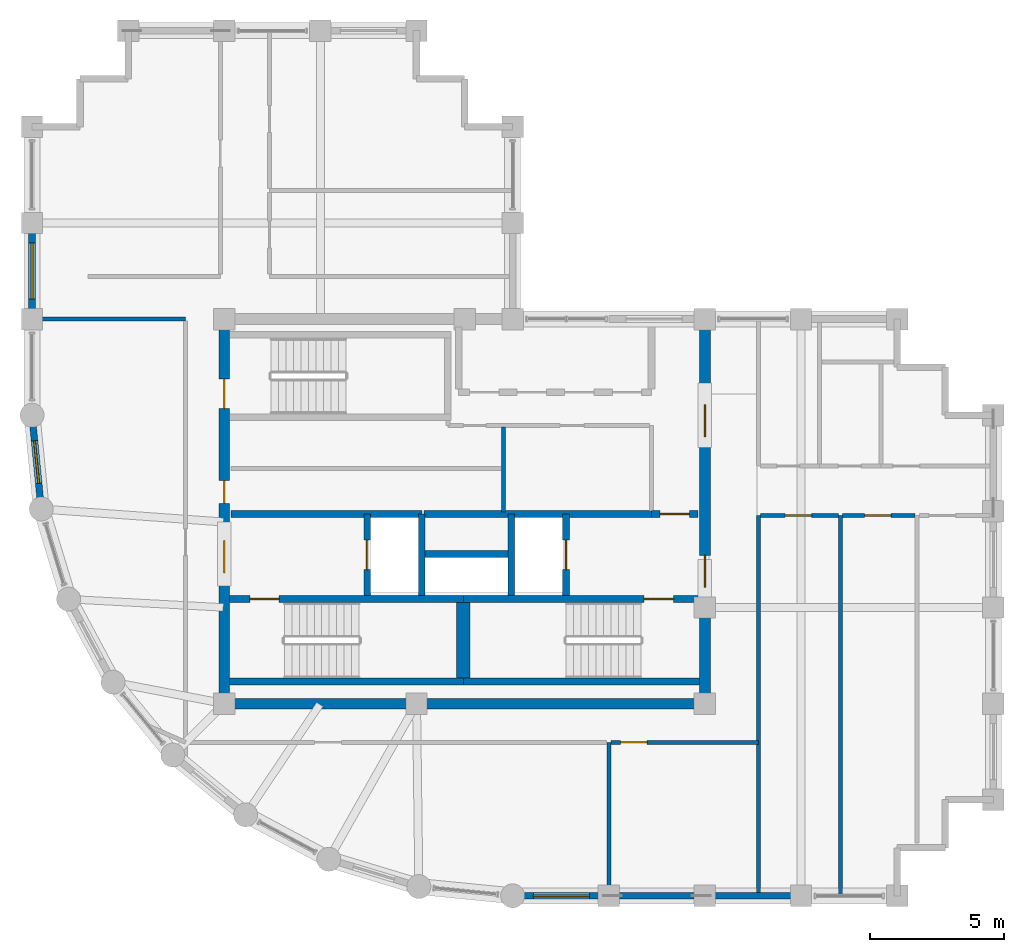
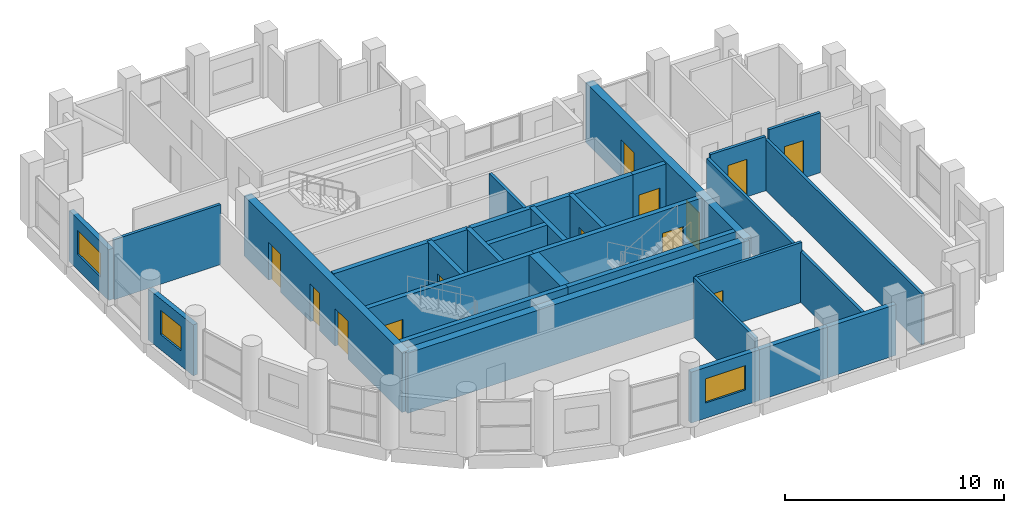
# One storey, part 14 of 17: 29 walls, 13 doors, 3 windows, 16 openings.
"""IFC4 building model written with IfcOpenShell, lengths in metres."""

from ifc_helpers import new_model, si_unit, direction, frame, frame_2d, origin, place, context, subcontext, project, spatial, rectangle, extrude, material, layer, layer_set, type_object, element, fill, save


model = new_model("IFC4")

# Units and contexts
model_context = context("Model", 3, precision=1e-05, world=origin(), true_north=direction((0.0, 1.0)))
body_context = subcontext(model_context, "Body", "Model", "MODEL_VIEW")
ifc_project = project(units=[si_unit("LENGTHUNIT", "METRE"), si_unit("AREAUNIT", "SQUARE_METRE"), si_unit("VOLUMEUNIT", "CUBIC_METRE"), si_unit("PLANEANGLEUNIT", "RADIAN"), si_unit("MASSUNIT", "GRAM", prefix="KILO")], contexts=[model_context])

# Site, building, storey
site_placement = place(None, origin())
site = spatial("IfcSite", under=ifc_project, at=site_placement, CompositionType="ELEMENT")
building_placement = place(site_placement, origin())
building = spatial("IfcBuilding", under=site, at=building_placement, Name="Solnavia Interchange Tower", CompositionType="ELEMENT")
storey_placement = place(building_placement, frame((0.0, 0.0, 291.800048828125)))
storey = spatial("IfcBuildingStorey", under=building, at=storey_placement, Name="L74", CompositionType="ELEMENT", Elevation=291.800048828125)

# Wall, opening, window
ifc_material_1 = material(Name="Concrete C40/50", Category="concrete")
ifc_layer_1 = layer(ifc_material_1, 0.25)
ifc_layer_set_1 = layer_set([ifc_layer_1], Name="Concrete C40/50")
wall_type_1 = type_object("IfcWallType", Name="Wall-ExtSpandrel-250", PredefinedType="STANDARD", material=ifc_layer_set_1)
wall_1_placement = place(storey_placement, frame((28.800048828125, 3.60009765625, 0.0), z_axis=(0.0, 0.0, 1.0), x_axis=(-1.0, 0.0, 0.0)))
wall_1 = element("IfcWall", 1, at=wall_1_placement, inside=storey, type_object=wall_type_1, Name="EXW-L74-01 Exterior precast spandrel wall", PredefinedType="STANDARD", context=body_context, shape_type="SweptSolid", body=[
    extrude(rectangle(XDim=3.60009765625, YDim=0.25, at=frame_2d((1.800048828125, 0.0))), origin(), (0.0, 0.0, 1.0), 2.829833984375),
])
opening_1_placement = place(wall_1_placement, frame((0.72509765625, 0.0, 0.85009765625)))
opening_1 = element("IfcOpeningElement", 2, at=opening_1_placement, cuts=wall_1, Name="Opening WIN-01", PredefinedType="OPENING", context=body_context, shape_type="SweptSolid", body=[
    extrude(rectangle(XDim=2.10009765625, YDim=1.35009765625, at=frame_2d((1.050048828125, 0.675048828125))), frame((0.0, 0.135009765625, 0.0), z_axis=(0.0, -1.0, 0.0), x_axis=(1.0, 0.0, 0.0)), (0.0, 0.0, 1.0), 0.27001953125),
])
ifc_material_2 = material(Name="Thermal-Break Aluminium & Low-E Glass", Category="aluminium")
window_type_1 = type_object("IfcWindowType", Name="Window-Ribbon-2100x1350", PartitioningType="SINGLE_PANEL", PredefinedType="WINDOW", material=ifc_material_2)
window_1_placement = place(opening_1_placement, origin())
window_1 = element("IfcWindow", 3, at=window_1_placement, inside=storey, type_object=window_type_1, Name="WIN-L74-01 Facade ribbon window", OverallHeight=1.35009765625, OverallWidth=2.10009765625, PartitioningType="SINGLE_PANEL", PredefinedType="WINDOW", context=body_context, shape_type="SweptSolid", body=[
    extrude(rectangle(XDim=2.10009765625, YDim=1.35009765625, at=frame_2d((1.050048828125, 0.675048828125))), frame((0.0, 0.030029296875, 0.0), z_axis=(0.0, -1.0, 0.0), x_axis=(1.0, 0.0, 0.0)), (0.0, 0.0, 1.0), 0.06005859375),
])
fill(opening_1, window_1)

# Walls
wall_2_placement = place(storey_placement, frame((32.39990234375, 3.60009765625, 0.0), z_axis=(0.0, 0.0, 1.0), x_axis=(-1.0, 0.0, 0.0)))
element("IfcWall", 4, at=wall_2_placement, inside=storey, type_object=wall_type_1, Name="EXW-L74-02 Exterior precast spandrel wall", PredefinedType="STANDARD", context=body_context, shape_type="SweptSolid", body=[
    extrude(rectangle(XDim=3.599853515625, YDim=0.25, at=frame_2d((1.7998046875, 0.0))), origin(), (0.0, 0.0, 1.0), 2.829833984375),
])
wall_3_placement = place(storey_placement, frame((36.0, 3.60009765625, 0.0), z_axis=(0.0, 0.0, 1.0), x_axis=(-1.0, 0.0, 0.0)))
element("IfcWall", 5, at=wall_3_placement, inside=storey, type_object=wall_type_1, Name="EXW-L74-03 Exterior precast spandrel wall", PredefinedType="STANDARD", context=body_context, shape_type="SweptSolid", body=[
    extrude(rectangle(XDim=3.60009765625, YDim=0.25, at=frame_2d((1.800048828125, 0.0))), origin(), (0.0, 0.0, 1.0), 2.829833984375),
])

# Wall, opening, window
wall_4_placement = place(storey_placement, frame((7.199951171875, 25.199951171875, 0.0), z_axis=(0.0, 0.0, 1.0), x_axis=(0.0, 1.0, 0.0)))
wall_4 = element("IfcWall", 6, at=wall_4_placement, inside=storey, type_object=wall_type_1, Name="EXW-L74-35 Exterior precast spandrel wall", PredefinedType="STANDARD", context=body_context, shape_type="SweptSolid", body=[
    extrude(rectangle(XDim=3.60009765625, YDim=0.25, at=frame_2d((1.800048828125, 0.0))), origin(), (0.0, 0.0, 1.0), 2.829833984375),
])
opening_2_placement = place(wall_4_placement, frame((0.75, 0.0, 0.85009765625)))
opening_2 = element("IfcOpeningElement", 7, at=opening_2_placement, cuts=wall_4, Name="Opening WIN-01", PredefinedType="OPENING", context=body_context, shape_type="SweptSolid", body=[
    extrude(rectangle(XDim=2.10009765625, YDim=1.35009765625, at=frame_2d((1.050048828125, 0.675048828125))), frame((0.0, 0.135009765625, 0.0), z_axis=(0.0, -1.0, 0.0), x_axis=(1.0, 0.0, 0.0)), (0.0, 0.0, 1.0), 0.27001953125),
])
window_2_placement = place(opening_2_placement, origin())
window_2 = element("IfcWindow", 8, at=window_2_placement, inside=storey, type_object=window_type_1, Name="WIN-L74-35 Facade ribbon window", OverallHeight=1.35009765625, OverallWidth=2.10009765625, PartitioningType="SINGLE_PANEL", PredefinedType="WINDOW", context=body_context, shape_type="SweptSolid", body=[
    extrude(rectangle(XDim=2.10009765625, YDim=1.35009765625, at=frame_2d((1.050048828125, 0.675048828125))), frame((0.0, 0.030029296875, 0.0), z_axis=(0.0, -1.0, 0.0), x_axis=(1.0, 0.0, 0.0)), (0.0, 0.0, 1.0), 0.06005859375),
])
fill(opening_2, window_2)

wall_5_placement = place(storey_placement, frame((7.5458984375, 18.087890625, 0.0), z_axis=(0.0, 0.0, 1.0), x_axis=(-0.09802417461, 0.995184033831, 0.0)))
wall_5 = element("IfcWall", 9, at=wall_5_placement, inside=storey, type_object=wall_type_1, Name="EXW-L74-37 Exterior precast spandrel wall", PredefinedType="STANDARD", context=body_context, shape_type="SweptSolid", body=[
    extrude(rectangle(XDim=3.529296875, YDim=0.25, at=frame_2d((1.7646484375, 0.0))), origin(), (0.0, 0.0, 1.0), 2.829833984375),
])
opening_3_placement = place(wall_5_placement, frame((0.965087890625, 0.0, 0.85009765625)))
opening_3 = element("IfcOpeningElement", 10, at=opening_3_placement, cuts=wall_5, Name="Opening WIN-04", PredefinedType="OPENING", context=body_context, shape_type="SweptSolid", body=[
    extrude(rectangle(XDim=1.60009765625, YDim=1.35009765625, at=frame_2d((0.800048828125, 0.675048828125))), frame((0.0, 0.135009765625, 0.0), z_axis=(0.0, -1.0, 0.0), x_axis=(1.0, 0.0, 0.0)), (0.0, 0.0, 1.0), 0.27001953125),
])
window_type_2 = type_object("IfcWindowType", Name="Window-Drum-1600x1350", PartitioningType="SINGLE_PANEL", PredefinedType="WINDOW", material=ifc_material_2)
window_3_placement = place(opening_3_placement, origin())
window_3 = element("IfcWindow", 11, at=window_3_placement, inside=storey, type_object=window_type_2, Name="WIN-L74-37 Facade ribbon window", OverallHeight=1.35009765625, OverallWidth=1.60009765625, PartitioningType="SINGLE_PANEL", PredefinedType="WINDOW", context=body_context, shape_type="SweptSolid", body=[
    extrude(rectangle(XDim=1.60009765625, YDim=1.35009765625, at=frame_2d((0.800048828125, 0.675048828125))), frame((0.0, 0.030029296875, 0.0), z_axis=(0.0, -1.0, 0.0), x_axis=(1.0, 0.0, 0.0)), (0.0, 0.0, 1.0), 0.06005859375),
])
fill(opening_3, window_3)

# Walls
ifc_material_3 = material(Name="Gypsum Plasterboard & Steel Stud", Category="steel")
ifc_layer_2 = layer(ifc_material_3, 0.14990234375)
ifc_layer_set_2 = layer_set([ifc_layer_2], Name="Gypsum Plasterboard & Steel Stud")
wall_type_2 = type_object("IfcWallType", Name="Wall-Partition-150", PredefinedType="PARTITIONING", material=ifc_layer_set_2)
wall_6_placement = place(storey_placement, frame((24.85009765625, 17.97998046875, 0.0), z_axis=(0.0, 0.0, 1.0), x_axis=(0.0, 1.0, 0.0)))
element("IfcWall", 12, at=wall_6_placement, inside=storey, type_object=wall_type_2, Name="CSW-L74-M1 Core shaft wall", PredefinedType="PARTITIONING", context=body_context, shape_type="SweptSolid", body=[
    extrude(rectangle(XDim=3.169921875, YDim=0.14990234375, at=frame_2d((1.5849609375, 0.0))), origin(), (0.0, 0.0, 1.0), 3.3349609375),
])
wall_7_placement = place(storey_placement, frame((7.3291015625, 25.199951171875, 0.0), z_axis=(0.0, 0.0, 1.0), x_axis=(1.0, 0.0, 0.0)))
element("IfcWall", 13, at=wall_7_placement, inside=storey, type_object=wall_type_2, Name="PTW-L74-07 Interior partition wall", PredefinedType="PARTITIONING", context=body_context, shape_type="SweptSolid", body=[
    extrude(rectangle(XDim=5.620849609375, YDim=0.14990234375, at=frame_2d((2.810546875, 0.0))), origin(), (0.0, 0.0, 1.0), 3.3349609375),
])
wall_8_placement = place(storey_placement, frame((28.800048828125, 9.35009765625, 0.0), z_axis=(0.0, 0.0, 1.0), x_axis=(0.0, -1.0, 0.0)))
element("IfcWall", 14, at=wall_8_placement, inside=storey, type_object=wall_type_2, Name="PTW-L74-08 Interior partition wall", PredefinedType="PARTITIONING", context=body_context, shape_type="SweptSolid", body=[
    extrude(rectangle(XDim=5.62109375, YDim=0.14990234375, at=frame_2d((2.810546875, 0.0))), origin(), (0.0, 0.0, 1.0), 3.3349609375),
])

# Wall, opening, door
wall_9_placement = place(storey_placement, frame((28.87890625, 9.35009765625, 0.0), z_axis=(0.0, 0.0, 1.0), x_axis=(1.0, 0.0, 0.0)))
wall_9 = element("IfcWall", 15, at=wall_9_placement, inside=storey, type_object=wall_type_2, Name="PTW-L74-12 Interior partition wall", PredefinedType="PARTITIONING", context=body_context, shape_type="SweptSolid", body=[
    extrude(rectangle(XDim=5.52099609375, YDim=0.14990234375, at=frame_2d((2.760498046875, 0.0))), origin(), (0.0, 0.0, 1.0), 3.3349609375),
])
opening_4_placement = place(wall_9_placement, frame((0.360107421875, 0.0, 0.0)))
opening_4 = element("IfcOpeningElement", 16, at=opening_4_placement, cuts=wall_9, Name="Opening DR-07", PredefinedType="OPENING", context=body_context, shape_type="SweptSolid", body=[
    extrude(rectangle(XDim=1.0, YDim=2.10009765625, at=frame_2d((0.5, 1.050048828125))), frame((0.0, 0.0849609375, 0.0), z_axis=(0.0, -1.0, 0.0), x_axis=(1.0, 0.0, 0.0)), (0.0, 0.0, 1.0), 0.169921875),
])
ifc_material_4 = material(Name="Timber & Acoustic Glazed Office Door", Category="wood")
door_type_1 = type_object("IfcDoorType", Name="Door-Office-1000x2100", OperationType="SINGLE_SWING_RIGHT", PredefinedType="DOOR", material=ifc_material_4)
door_1_placement = place(opening_4_placement, origin())
door_1 = element("IfcDoor", 17, at=door_1_placement, inside=storey, type_object=door_type_1, Name="DR-L74-05 Interior room door", OperationType="SINGLE_SWING_LEFT", OverallHeight=2.10009765625, OverallWidth=1.0, PredefinedType="DOOR", context=body_context, shape_type="SweptSolid", body=[
    extrude(rectangle(XDim=1.0, YDim=2.10009765625, at=frame_2d((0.5, 1.050048828125))), frame((0.0, 0.02490234375, 0.0), z_axis=(0.0, -1.0, 0.0), x_axis=(1.0, 0.0, 0.0)), (0.0, 0.0, 1.0), 0.050048828125),
])
fill(opening_4, door_1)

# Walls
wall_10_placement = place(storey_placement, frame((34.39990234375, 3.72900390625, 0.0), z_axis=(0.0, 0.0, 1.0), x_axis=(0.0, 1.0, 0.0)))
element("IfcWall", 18, at=wall_10_placement, inside=storey, type_object=wall_type_2, Name="PTW-L74-13 Interior partition wall", PredefinedType="PARTITIONING", context=body_context, shape_type="SweptSolid", body=[
    extrude(rectangle(XDim=14.12109375, YDim=0.14990234375, at=frame_2d((7.060546875, 0.0))), origin(), (0.0, 0.0, 1.0), 2.829833984375),
])
wall_11_placement = place(storey_placement, frame((37.47998046875, 3.60009765625, 0.0), z_axis=(0.0, 0.0, 1.0), x_axis=(0.0, 1.0, 0.0)))
element("IfcWall", 19, at=wall_11_placement, inside=storey, type_object=wall_type_2, Name="PTW-L74-14 Interior partition wall", PredefinedType="PARTITIONING", context=body_context, shape_type="SweptSolid", body=[
    extrude(rectangle(XDim=14.25, YDim=0.14990234375, at=frame_2d((7.125, 0.0))), origin(), (0.0, 0.0, 1.0), 2.829833984375),
])

# Wall, opening, door
wall_12_placement = place(storey_placement, frame((34.47900390625, 17.85009765625, 0.0), z_axis=(0.0, 0.0, 1.0), x_axis=(1.0, 0.0, 0.0)))
wall_12 = element("IfcWall", 20, at=wall_12_placement, inside=storey, type_object=wall_type_2, Name="PTW-L74-15 Interior partition wall", PredefinedType="PARTITIONING", context=body_context, shape_type="SweptSolid", body=[
    extrude(rectangle(XDim=2.921875, YDim=0.14990234375, at=frame_2d((1.4609375, 0.0))), origin(), (0.0, 0.0, 1.0), 3.02001953125),
])
opening_5_placement = place(wall_12_placement, frame((0.9208984375, 0.0, 0.0)))
opening_5 = element("IfcOpeningElement", 21, at=opening_5_placement, cuts=wall_12, Name="Opening DR-07", PredefinedType="OPENING", context=body_context, shape_type="SweptSolid", body=[
    extrude(rectangle(XDim=1.0, YDim=2.10009765625, at=frame_2d((0.5, 1.050048828125))), frame((0.0, 0.0849609375, 0.0), z_axis=(0.0, -1.0, 0.0), x_axis=(1.0, 0.0, 0.0)), (0.0, 0.0, 1.0), 0.169921875),
])
door_2_placement = place(opening_5_placement, origin())
door_2 = element("IfcDoor", 22, at=door_2_placement, inside=storey, type_object=door_type_1, Name="DR-L74-06 Interior room door", OperationType="SINGLE_SWING_LEFT", OverallHeight=2.10009765625, OverallWidth=1.0, PredefinedType="DOOR", context=body_context, shape_type="SweptSolid", body=[
    extrude(rectangle(XDim=1.0, YDim=2.10009765625, at=frame_2d((0.5, 1.050048828125))), frame((0.0, 0.02490234375, 0.0), z_axis=(0.0, -1.0, 0.0), x_axis=(1.0, 0.0, 0.0)), (0.0, 0.0, 1.0), 0.050048828125),
])
fill(opening_5, door_2)

wall_13_placement = place(storey_placement, frame((37.55908203125, 17.85009765625, 0.0), z_axis=(0.0, 0.0, 1.0), x_axis=(1.0, 0.0, 0.0)))
wall_13 = element("IfcWall", 23, at=wall_13_placement, inside=storey, type_object=wall_type_2, Name="PTW-L74-17 Interior partition wall", PredefinedType="PARTITIONING", context=body_context, shape_type="SweptSolid", body=[
    extrude(rectangle(XDim=2.7119140625, YDim=0.14990234375, at=frame_2d((1.35595703125, 0.0))), origin(), (0.0, 0.0, 1.0), 3.3349609375),
])
opening_6_placement = place(wall_13_placement, frame((0.818115234375, 0.0, 0.0)))
opening_6 = element("IfcOpeningElement", 24, at=opening_6_placement, cuts=wall_13, Name="Opening DR-07", PredefinedType="OPENING", context=body_context, shape_type="SweptSolid", body=[
    extrude(rectangle(XDim=1.0, YDim=2.10009765625, at=frame_2d((0.5, 1.050048828125))), frame((0.0, 0.0849609375, 0.0), z_axis=(0.0, -1.0, 0.0), x_axis=(1.0, 0.0, 0.0)), (0.0, 0.0, 1.0), 0.169921875),
])
door_3_placement = place(opening_6_placement, origin())
door_3 = element("IfcDoor", 25, at=door_3_placement, inside=storey, type_object=door_type_1, Name="DR-L74-07 Interior room door", OperationType="SINGLE_SWING_RIGHT", OverallHeight=2.10009765625, OverallWidth=1.0, PredefinedType="DOOR", context=body_context, shape_type="SweptSolid", body=[
    extrude(rectangle(XDim=1.0, YDim=2.10009765625, at=frame_2d((0.5, 1.050048828125))), frame((0.0, 0.02490234375, 0.0), z_axis=(0.0, -1.0, 0.0), x_axis=(1.0, 0.0, 0.0)), (0.0, 0.0, 1.0), 0.050048828125),
])
fill(opening_6, door_3)

# Wall
ifc_layer_3 = layer(ifc_material_1, 0.25)
ifc_layer_set_3 = layer_set([ifc_layer_3], Name="Concrete C40/50")
wall_type_3 = type_object("IfcWallType", Name="Wall-ShaftCore-250", PredefinedType="SHEAR", material=ifc_layer_set_3)
wall_14_placement = place(storey_placement, frame((14.60009765625, 11.625, 0.0), z_axis=(0.0, 0.0, 1.0), x_axis=(1.0, 0.0, 0.0)))
element("IfcWall", 26, at=wall_14_placement, inside=storey, type_object=wall_type_3, Name="SHW-L74-ST1S Core shear wall", PredefinedType="SHEAR", context=body_context, shape_type="SweptSolid", body=[
    extrude(rectangle(XDim=8.75, YDim=0.25, at=frame_2d((4.375, 0.0))), origin(), (0.0, 0.0, 1.0), 3.349853515625),
])

# Wall, opening, door
wall_15_placement = place(storey_placement, frame((14.60009765625, 14.715087890625, 0.0), z_axis=(0.0, 0.0, 1.0), x_axis=(1.0, 0.0, 0.0)))
wall_15 = element("IfcWall", 27, at=wall_15_placement, inside=storey, type_object=wall_type_3, Name="SHW-L74-ST1N Core shear wall", PredefinedType="SHEAR", context=body_context, shape_type="SweptSolid", body=[
    extrude(rectangle(XDim=8.75, YDim=0.25, at=frame_2d((4.375, 0.0))), origin(), (0.0, 0.0, 1.0), 3.349853515625),
])
opening_7_placement = place(wall_15_placement, frame((0.7548828125, 0.0, 0.0)))
opening_7 = element("IfcOpeningElement", 28, at=opening_7_placement, cuts=wall_15, Name="Opening DR-01", PredefinedType="OPENING", context=body_context, shape_type="SweptSolid", body=[
    extrude(rectangle(XDim=1.10009765625, YDim=2.10009765625, at=frame_2d((0.550048828125, 1.050048828125))), frame((0.0, 0.135009765625, 0.0), z_axis=(0.0, -1.0, 0.0), x_axis=(1.0, 0.0, 0.0)), (0.0, 0.0, 1.0), 0.27001953125),
])
ifc_material_5 = material(Name="Steel Fire-Rated Leaf & Frame", Category="steel")
door_type_2 = type_object("IfcDoorType", Name="Door-StairFire-1100x2100", OperationType="SINGLE_SWING_LEFT", PredefinedType="DOOR", material=ifc_material_5)
door_4_placement = place(opening_7_placement, origin())
door_4 = element("IfcDoor", 29, at=door_4_placement, inside=storey, type_object=door_type_2, Name="DR-L74-ST1 Core fire door", OperationType="SINGLE_SWING_LEFT", OverallHeight=2.10009765625, OverallWidth=1.10009765625, PredefinedType="DOOR", context=body_context, shape_type="SweptSolid", body=[
    extrude(rectangle(XDim=1.10009765625, YDim=2.10009765625, at=frame_2d((0.550048828125, 1.050048828125))), frame((0.0, 0.02490234375, 0.0), z_axis=(0.0, -1.0, 0.0), x_axis=(1.0, 0.0, 0.0)), (0.0, 0.0, 1.0), 0.050048828125),
])
fill(opening_7, door_4)

# Wall
wall_16_placement = place(storey_placement, frame((23.35009765625, 11.625, 0.0), z_axis=(0.0, 0.0, 1.0), x_axis=(1.0, 0.0, 0.0)))
element("IfcWall", 30, at=wall_16_placement, inside=storey, type_object=wall_type_3, Name="SHW-L74-ST2S Core shear wall", PredefinedType="SHEAR", context=body_context, shape_type="SweptSolid", body=[
    extrude(rectangle(XDim=8.849853515625, YDim=0.25, at=frame_2d((4.4248046875, 0.0))), origin(), (0.0, 0.0, 1.0), 3.349853515625),
])

# Wall, opening, door
wall_17_placement = place(storey_placement, frame((23.35009765625, 14.715087890625, 0.0), z_axis=(0.0, 0.0, 1.0), x_axis=(1.0, 0.0, 0.0)))
wall_17 = element("IfcWall", 31, at=wall_17_placement, inside=storey, type_object=wall_type_3, Name="SHW-L74-ST2N Core shear wall", PredefinedType="SHEAR", context=body_context, shape_type="SweptSolid", body=[
    extrude(rectangle(XDim=8.849853515625, YDim=0.25, at=frame_2d((4.4248046875, 0.0))), origin(), (0.0, 0.0, 1.0), 3.349853515625),
])
opening_8_placement = place(wall_17_placement, frame((6.77490234375, 0.0, 0.0)))
opening_8 = element("IfcOpeningElement", 32, at=opening_8_placement, cuts=wall_17, Name="Opening DR-01", PredefinedType="OPENING", context=body_context, shape_type="SweptSolid", body=[
    extrude(rectangle(XDim=1.10009765625, YDim=2.10009765625, at=frame_2d((0.550048828125, 1.050048828125))), frame((0.0, 0.135009765625, 0.0), z_axis=(0.0, -1.0, 0.0), x_axis=(1.0, 0.0, 0.0)), (0.0, 0.0, 1.0), 0.27001953125),
])
door_5_placement = place(opening_8_placement, origin())
door_5 = element("IfcDoor", 33, at=door_5_placement, inside=storey, type_object=door_type_2, Name="DR-L74-ST2 Core fire door", OperationType="SINGLE_SWING_LEFT", OverallHeight=2.10009765625, OverallWidth=1.10009765625, PredefinedType="DOOR", context=body_context, shape_type="SweptSolid", body=[
    extrude(rectangle(XDim=1.10009765625, YDim=2.10009765625, at=frame_2d((0.550048828125, 1.050048828125))), frame((0.0, 0.02490234375, 0.0), z_axis=(0.0, -1.0, 0.0), x_axis=(1.0, 0.0, 0.0)), (0.0, 0.0, 1.0), 0.050048828125),
])
fill(opening_8, door_5)

# Wall
ifc_layer_4 = layer(ifc_material_1, 0.25)
ifc_layer_set_4 = layer_set([ifc_layer_4], Name="Concrete C40/50")
wall_type_4 = type_object("IfcWallType", Name="Wall-ShaftPart-250", PredefinedType="PARTITIONING", material=ifc_layer_set_4)
wall_18_placement = place(storey_placement, frame((14.64990234375, 17.89990234375, 0.0), z_axis=(0.0, 0.0, 1.0), x_axis=(1.0, 0.0, 0.0)))
element("IfcWall", 34, at=wall_18_placement, inside=storey, type_object=wall_type_4, Name="SHW-L74-FFLW-N Core shaft wall", PredefinedType="PARTITIONING", context=body_context, shape_type="SweptSolid", body=[
    extrude(rectangle(XDim=7.150146484375, YDim=0.25, at=frame_2d((3.5751953125, 0.0))), origin(), (0.0, 0.0, 1.0), 3.3349609375),
])

# Wall, opening, door
wall_19_placement = place(storey_placement, frame((19.75, 14.840087890625, 0.0), z_axis=(0.0, 0.0, 1.0), x_axis=(0.0, 1.0, 0.0)))
wall_19 = element("IfcWall", 35, at=wall_19_placement, inside=storey, type_object=wall_type_4, Name="SHW-L74-FFL1-W Core shaft wall", PredefinedType="PARTITIONING", context=body_context, shape_type="SweptSolid", body=[
    extrude(rectangle(XDim=3.059814453125, YDim=0.25, at=frame_2d((1.52978515625, 0.0))), origin(), (0.0, 0.0, 1.0), 3.3349609375),
])
opening_9_placement = place(wall_19_placement, frame((0.97998046875, 0.0, 0.0)))
opening_9 = element("IfcOpeningElement", 36, at=opening_9_placement, cuts=wall_19, Name="Opening LD-01", PredefinedType="OPENING", context=body_context, shape_type="SweptSolid", body=[
    extrude(rectangle(XDim=1.10009765625, YDim=2.10009765625, at=frame_2d((0.550048828125, 1.050048828125))), frame((0.0, 0.135009765625, 0.0), z_axis=(0.0, -1.0, 0.0), x_axis=(1.0, 0.0, 0.0)), (0.0, 0.0, 1.0), 0.27001953125),
])
ifc_material_6 = material(Name="Brushed Stainless Steel Sliding Door", Category="steel")
door_type_3 = type_object("IfcDoorType", Name="Door-LiftLanding-1100x2100", OperationType="SLIDING_TO_LEFT", PredefinedType="DOOR", material=ifc_material_6)
door_6_placement = place(opening_9_placement, origin())
door_6 = element("IfcDoor", 37, at=door_6_placement, inside=storey, type_object=door_type_3, Name="LD-L74-FFL1 Lift landing sliding door", OperationType="SLIDING_TO_LEFT", OverallHeight=2.10009765625, OverallWidth=1.10009765625, PredefinedType="DOOR", context=body_context, shape_type="SweptSolid", body=[
    extrude(rectangle(XDim=1.10009765625, YDim=2.10009765625, at=frame_2d((0.550048828125, 1.050048828125))), frame((0.0, 0.02490234375, 0.0), z_axis=(0.0, -1.0, 0.0), x_axis=(1.0, 0.0, 0.0)), (0.0, 0.0, 1.0), 0.050048828125),
])
fill(opening_9, door_6)

# Walls
wall_20_placement = place(storey_placement, frame((21.800048828125, 14.840087890625, 0.0), z_axis=(0.0, 0.0, 1.0), x_axis=(0.0, 1.0, 0.0)))
element("IfcWall", 38, at=wall_20_placement, inside=storey, type_object=wall_type_4, Name="SHW-L74-FFL1-E Core shaft wall", PredefinedType="PARTITIONING", context=body_context, shape_type="SweptSolid", body=[
    extrude(rectangle(XDim=3.059814453125, YDim=0.25, at=frame_2d((1.52978515625, 0.0))), origin(), (0.0, 0.0, 1.0), 3.3349609375),
])
wall_21_placement = place(storey_placement, frame((21.8798828125, 17.89990234375, 0.0), z_axis=(0.0, 0.0, 1.0), x_axis=(1.0, 0.0, 0.0)))
element("IfcWall", 39, at=wall_21_placement, inside=storey, type_object=wall_type_4, Name="SHW-L74-FFLE-N1 Core shaft wall", PredefinedType="PARTITIONING", context=body_context, shape_type="SweptSolid", body=[
    extrude(rectangle(XDim=8.52001953125, YDim=0.25, at=frame_2d((4.260009765625, 0.0))), origin(), (0.0, 0.0, 1.0), 3.3349609375),
])

# Wall, opening, door
wall_22_placement = place(storey_placement, frame((30.39990234375, 17.89990234375, 0.0), z_axis=(0.0, 0.0, 1.0), x_axis=(1.0, 0.0, 0.0)))
wall_22 = element("IfcWall", 40, at=wall_22_placement, inside=storey, type_object=wall_type_4, Name="SHW-L74-FFLE-N2 Core shaft wall", PredefinedType="PARTITIONING", context=body_context, shape_type="SweptSolid", body=[
    extrude(rectangle(XDim=1.75, YDim=0.25, at=frame_2d((0.875, 0.0))), origin(), (0.0, 0.0, 1.0), 3.3349609375),
])
opening_10_placement = place(wall_22_placement, frame((0.320068359375, 0.0, 0.0)))
opening_10 = element("IfcOpeningElement", 41, at=opening_10_placement, cuts=wall_22, Name="Opening DR-01", PredefinedType="OPENING", context=body_context, shape_type="SweptSolid", body=[
    extrude(rectangle(XDim=1.10009765625, YDim=2.10009765625, at=frame_2d((0.550048828125, 1.050048828125))), frame((0.0, 0.135009765625, 0.0), z_axis=(0.0, -1.0, 0.0), x_axis=(1.0, 0.0, 0.0)), (0.0, 0.0, 1.0), 0.27001953125),
])
door_7_placement = place(opening_10_placement, origin())
door_7 = element("IfcDoor", 42, at=door_7_placement, inside=storey, type_object=door_type_2, Name="DR-L74-LLC Core fire door", OperationType="SINGLE_SWING_LEFT", OverallHeight=2.10009765625, OverallWidth=1.10009765625, PredefinedType="DOOR", context=body_context, shape_type="SweptSolid", body=[
    extrude(rectangle(XDim=1.10009765625, YDim=2.10009765625, at=frame_2d((0.550048828125, 1.050048828125))), frame((0.0, 0.02490234375, 0.0), z_axis=(0.0, -1.0, 0.0), x_axis=(1.0, 0.0, 0.0)), (0.0, 0.0, 1.0), 0.050048828125),
])
fill(opening_10, door_7)

# Wall
wall_23_placement = place(storey_placement, frame((25.14990234375, 14.840087890625, 0.0), z_axis=(0.0, 0.0, 1.0), x_axis=(0.0, 1.0, 0.0)))
element("IfcWall", 43, at=wall_23_placement, inside=storey, type_object=wall_type_4, Name="SHW-L74-FFL2-W Core shaft wall", PredefinedType="PARTITIONING", context=body_context, shape_type="SweptSolid", body=[
    extrude(rectangle(XDim=3.059814453125, YDim=0.25, at=frame_2d((1.52978515625, 0.0))), origin(), (0.0, 0.0, 1.0), 3.3349609375),
])

# Wall, opening, door
wall_24_placement = place(storey_placement, frame((27.199951171875, 14.840087890625, 0.0), z_axis=(0.0, 0.0, 1.0), x_axis=(0.0, 1.0, 0.0)))
wall_24 = element("IfcWall", 44, at=wall_24_placement, inside=storey, type_object=wall_type_4, Name="SHW-L74-FFL2-E Core shaft wall", PredefinedType="PARTITIONING", context=body_context, shape_type="SweptSolid", body=[
    extrude(rectangle(XDim=3.059814453125, YDim=0.25, at=frame_2d((1.52978515625, 0.0))), origin(), (0.0, 0.0, 1.0), 3.3349609375),
])
opening_11_placement = place(wall_24_placement, frame((0.97998046875, 0.0, 0.0)))
opening_11 = element("IfcOpeningElement", 45, at=opening_11_placement, cuts=wall_24, Name="Opening LD-01", PredefinedType="OPENING", context=body_context, shape_type="SweptSolid", body=[
    extrude(rectangle(XDim=1.10009765625, YDim=2.10009765625, at=frame_2d((0.550048828125, 1.050048828125))), frame((0.0, 0.135009765625, 0.0), z_axis=(0.0, -1.0, 0.0), x_axis=(1.0, 0.0, 0.0)), (0.0, 0.0, 1.0), 0.27001953125),
])
door_8_placement = place(opening_11_placement, origin())
door_8 = element("IfcDoor", 46, at=door_8_placement, inside=storey, type_object=door_type_3, Name="LD-L74-FFL2 Lift landing sliding door", OperationType="SLIDING_TO_LEFT", OverallHeight=2.10009765625, OverallWidth=1.10009765625, PredefinedType="DOOR", context=body_context, shape_type="SweptSolid", body=[
    extrude(rectangle(XDim=1.10009765625, YDim=2.10009765625, at=frame_2d((0.550048828125, 1.050048828125))), frame((0.0, 0.02490234375, 0.0), z_axis=(0.0, -1.0, 0.0), x_axis=(1.0, 0.0, 0.0)), (0.0, 0.0, 1.0), 0.050048828125),
])
fill(opening_11, door_8)

# Walls
wall_25_placement = place(storey_placement, frame((21.800048828125, 16.39990234375, 0.0), z_axis=(0.0, 0.0, 1.0), x_axis=(1.0, 0.0, 0.0)))
element("IfcWall", 47, at=wall_25_placement, inside=storey, type_object=wall_type_4, Name="SHW-L74-MEP-N Core shaft wall", PredefinedType="PARTITIONING", context=body_context, shape_type="SweptSolid", body=[
    extrude(rectangle(XDim=3.349853515625, YDim=0.25, at=frame_2d((1.6748046875, 0.0))), origin(), (0.0, 0.0, 1.0), 3.3349609375),
])
ifc_material_7 = material(Name="Concrete C50/60", Category="concrete")
ifc_layer_5 = layer(ifc_material_7, 0.39990234375)
ifc_layer_set_5 = layer_set([ifc_layer_5], Name="Concrete C50/60")
wall_type_5 = type_object("IfcWallType", Name="Wall-ShearCore-400", PredefinedType="SHEAR", material=ifc_layer_set_5)
wall_26_placement = place(storey_placement, frame((14.39990234375, 10.800048828125, 0.0), z_axis=(0.0, 0.0, 1.0), x_axis=(1.0, 0.0, 0.0)))
element("IfcWall", 48, at=wall_26_placement, inside=storey, type_object=wall_type_5, Name="CRW-L74-S Core shear wall", PredefinedType="SHEAR", context=body_context, shape_type="SweptSolid", body=[
    extrude(rectangle(XDim=18.0, YDim=0.39990234375, at=frame_2d((9.0, 0.0))), origin(), (0.0, 0.0, 1.0), 3.349853515625),
])

# Wall, openings, doors
wall_27_placement = place(storey_placement, frame((14.39990234375, 10.800048828125, 0.0), z_axis=(0.0, 0.0, 1.0), x_axis=(0.0, 1.0, 0.0)))
wall_27 = element("IfcWall", 49, at=wall_27_placement, inside=storey, type_object=wall_type_5, Name="CRW-L74-W Core shear wall", PredefinedType="SHEAR", context=body_context, shape_type="SweptSolid", body=[
    extrude(rectangle(XDim=14.39990234375, YDim=0.39990234375, at=frame_2d((7.199951171875, 0.0))), origin(), (0.0, 0.0, 1.0), 3.349853515625),
])
opening_12_placement = place(wall_27_placement, frame((11.050048828125, 0.0, 0.0)))
opening_12 = element("IfcOpeningElement", 50, at=opening_12_placement, cuts=wall_27, Name="Opening DR-01", PredefinedType="OPENING", context=body_context, shape_type="SweptSolid", body=[
    extrude(rectangle(XDim=1.10009765625, YDim=2.10009765625, at=frame_2d((0.550048828125, 1.050048828125))), frame((0.0, 0.2099609375, 0.0), z_axis=(0.0, -1.0, 0.0), x_axis=(1.0, 0.0, 0.0)), (0.0, 0.0, 1.0), 0.419921875),
])
opening_13_placement = place(wall_27_placement, frame((4.89990234375, 0.0, 0.0)))
opening_13 = element("IfcOpeningElement", 51, at=opening_13_placement, cuts=wall_27, Name="Opening DR-02", PredefinedType="OPENING", context=body_context, shape_type="SweptSolid", body=[
    extrude(rectangle(XDim=1.199951171875, YDim=2.10009765625, at=frame_2d((0.60009765625, 1.050048828125))), frame((0.0, 0.2099609375, 0.0), z_axis=(0.0, -1.0, 0.0), x_axis=(1.0, 0.0, 0.0)), (0.0, 0.0, 1.0), 0.419921875),
])
opening_14_placement = place(wall_27_placement, frame((7.5, 0.0, 0.0)))
opening_14 = element("IfcOpeningElement", 52, at=opening_14_placement, cuts=wall_27, Name="Opening DR-10", PredefinedType="OPENING", context=body_context, shape_type="SweptSolid", body=[
    extrude(rectangle(XDim=0.85009765625, YDim=2.10009765625, at=frame_2d((0.425048828125, 1.050048828125))), frame((0.0, 0.2099609375, 0.0), z_axis=(0.0, -1.0, 0.0), x_axis=(1.0, 0.0, 0.0)), (0.0, 0.0, 1.0), 0.419921875),
])
ifc_material_8 = material(Name="Moisture-Resistant Timber Door", Category="wood")
door_type_4 = type_object("IfcDoorType", Name="Door-Bathroom-850x2100", OperationType="SINGLE_SWING_RIGHT", PredefinedType="DOOR", material=ifc_material_8)
door_9_placement = place(opening_14_placement, origin())
door_9 = element("IfcDoor", 53, at=door_9_placement, inside=storey, type_object=door_type_4, Name="DR-L74-CS1 Core fire door", OperationType="SINGLE_SWING_RIGHT", OverallHeight=2.10009765625, OverallWidth=0.85009765625, PredefinedType="DOOR", context=body_context, shape_type="SweptSolid", body=[
    extrude(rectangle(XDim=0.85009765625, YDim=2.10009765625, at=frame_2d((0.425048828125, 1.050048828125))), frame((0.0, 0.02490234375, 0.0), z_axis=(0.0, -1.0, 0.0), x_axis=(1.0, 0.0, 0.0)), (0.0, 0.0, 1.0), 0.050048828125),
])
fill(opening_14, door_9)
ifc_material_9 = material(Name="Steel Fire-Rated Vision-Panel Door", Category="steel")
door_type_5 = type_object("IfcDoorType", Name="Door-LobbyFire-1200x2100", OperationType="SINGLE_SWING_RIGHT", PredefinedType="DOOR", material=ifc_material_9)
door_10_placement = place(opening_13_placement, origin())
door_10 = element("IfcDoor", 54, at=door_10_placement, inside=storey, type_object=door_type_5, Name="DR-L74-FFL1W Core fire door", OperationType="SINGLE_SWING_RIGHT", OverallHeight=2.10009765625, OverallWidth=1.199951171875, PredefinedType="DOOR", context=body_context, shape_type="SweptSolid", body=[
    extrude(rectangle(XDim=1.199951171875, YDim=2.10009765625, at=frame_2d((0.60009765625, 1.050048828125))), frame((0.0, 0.02490234375, 0.0), z_axis=(0.0, -1.0, 0.0), x_axis=(1.0, 0.0, 0.0)), (0.0, 0.0, 1.0), 0.050048828125),
])
fill(opening_13, door_10)
door_11_placement = place(opening_12_placement, origin())
door_11 = element("IfcDoor", 55, at=door_11_placement, inside=storey, type_object=door_type_2, Name="DR-L74-ST3 Core fire door", OperationType="SINGLE_SWING_RIGHT", OverallHeight=2.10009765625, OverallWidth=1.10009765625, PredefinedType="DOOR", context=body_context, shape_type="SweptSolid", body=[
    extrude(rectangle(XDim=1.10009765625, YDim=2.10009765625, at=frame_2d((0.550048828125, 1.050048828125))), frame((0.0, 0.02490234375, 0.0), z_axis=(0.0, -1.0, 0.0), x_axis=(1.0, 0.0, 0.0)), (0.0, 0.0, 1.0), 0.050048828125),
])
fill(opening_12, door_11)

wall_28_placement = place(storey_placement, frame((32.39990234375, 10.800048828125, 0.0), z_axis=(0.0, 0.0, 1.0), x_axis=(0.0, 1.0, 0.0)))
wall_28 = element("IfcWall", 56, at=wall_28_placement, inside=storey, type_object=wall_type_5, Name="CRW-L74-E Core shear wall", PredefinedType="SHEAR", context=body_context, shape_type="SweptSolid", body=[
    extrude(rectangle(XDim=14.39990234375, YDim=0.39990234375, at=frame_2d((7.199951171875, 0.0))), origin(), (0.0, 0.0, 1.0), 3.349853515625),
])
opening_15_placement = place(wall_28_placement, frame((4.35009765625, 0.0, 0.0)))
opening_15 = element("IfcOpeningElement", 57, at=opening_15_placement, cuts=wall_28, Name="Opening DR-02", PredefinedType="OPENING", context=body_context, shape_type="SweptSolid", body=[
    extrude(rectangle(XDim=1.199951171875, YDim=2.10009765625, at=frame_2d((0.60009765625, 1.050048828125))), frame((0.0, 0.2099609375, 0.0), z_axis=(0.0, -1.0, 0.0), x_axis=(1.0, 0.0, 0.0)), (0.0, 0.0, 1.0), 0.419921875),
])
opening_16_placement = place(wall_28_placement, frame((10.0, 0.0, 0.0)))
opening_16 = element("IfcOpeningElement", 58, at=opening_16_placement, cuts=wall_28, Name="Opening DR-02", PredefinedType="OPENING", context=body_context, shape_type="SweptSolid", body=[
    extrude(rectangle(XDim=1.199951171875, YDim=2.10009765625, at=frame_2d((0.60009765625, 1.050048828125))), frame((0.0, 0.2099609375, 0.0), z_axis=(0.0, -1.0, 0.0), x_axis=(1.0, 0.0, 0.0)), (0.0, 0.0, 1.0), 0.419921875),
])
door_12_placement = place(opening_15_placement, origin())
door_12 = element("IfcDoor", 59, at=door_12_placement, inside=storey, type_object=door_type_5, Name="DR-L74-FFL2E Core fire door", OperationType="SINGLE_SWING_LEFT", OverallHeight=2.10009765625, OverallWidth=1.199951171875, PredefinedType="DOOR", context=body_context, shape_type="SweptSolid", body=[
    extrude(rectangle(XDim=1.199951171875, YDim=2.10009765625, at=frame_2d((0.60009765625, 1.050048828125))), frame((0.0, 0.02490234375, 0.0), z_axis=(0.0, -1.0, 0.0), x_axis=(1.0, 0.0, 0.0)), (0.0, 0.0, 1.0), 0.050048828125),
])
fill(opening_15, door_12)
door_13_placement = place(opening_16_placement, origin())
door_13 = element("IfcDoor", 60, at=door_13_placement, inside=storey, type_object=door_type_5, Name="DR-L74-LLE Core fire door", OperationType="SINGLE_SWING_RIGHT", OverallHeight=2.10009765625, OverallWidth=1.199951171875, PredefinedType="DOOR", context=body_context, shape_type="SweptSolid", body=[
    extrude(rectangle(XDim=1.199951171875, YDim=2.10009765625, at=frame_2d((0.60009765625, 1.050048828125))), frame((0.0, 0.02490234375, 0.0), z_axis=(0.0, -1.0, 0.0), x_axis=(1.0, 0.0, 0.0)), (0.0, 0.0, 1.0), 0.050048828125),
])
fill(opening_16, door_13)

# Wall
ifc_material_10 = material(Name="Concrete C60/75", Category="concrete")
ifc_layer_6 = layer(ifc_material_10, 0.5)
ifc_layer_set_6 = layer_set([ifc_layer_6], Name="Concrete C60/75")
wall_type_6 = type_object("IfcWallType", Name="Wall-ShearCore-500", PredefinedType="SHEAR", material=ifc_layer_set_6)
wall_29_placement = place(storey_placement, frame((23.35009765625, 11.75, 0.0), z_axis=(0.0, 0.0, 1.0), x_axis=(0.0, 1.0, 0.0)))
element("IfcWall", 61, at=wall_29_placement, inside=storey, type_object=wall_type_6, Name="SHW-L74-ST12M Core shear wall", PredefinedType="SHEAR", context=body_context, shape_type="SweptSolid", body=[
    extrude(rectangle(XDim=2.840087890625, YDim=0.5, at=frame_2d((1.419921875, 0.0))), origin(), (0.0, 0.0, 1.0), 3.349853515625),
])

save(model, "model.ifc")
